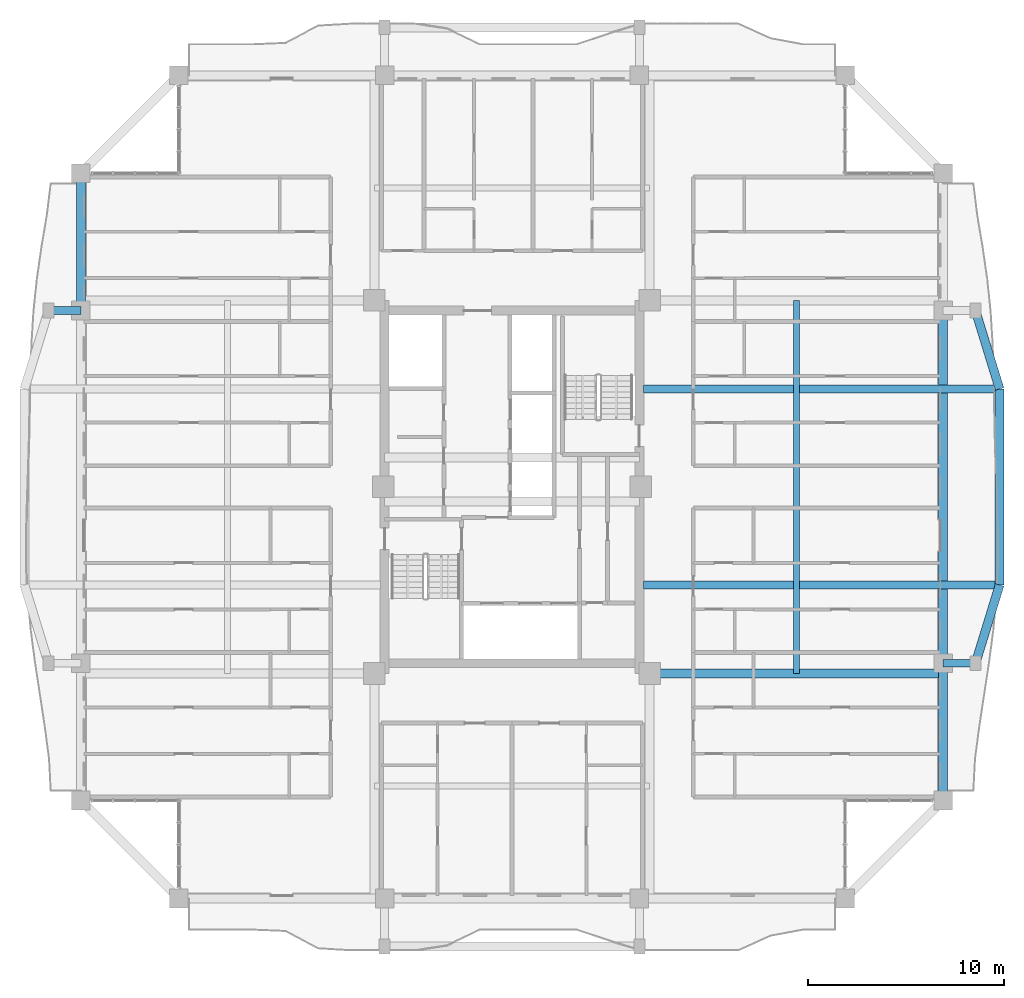
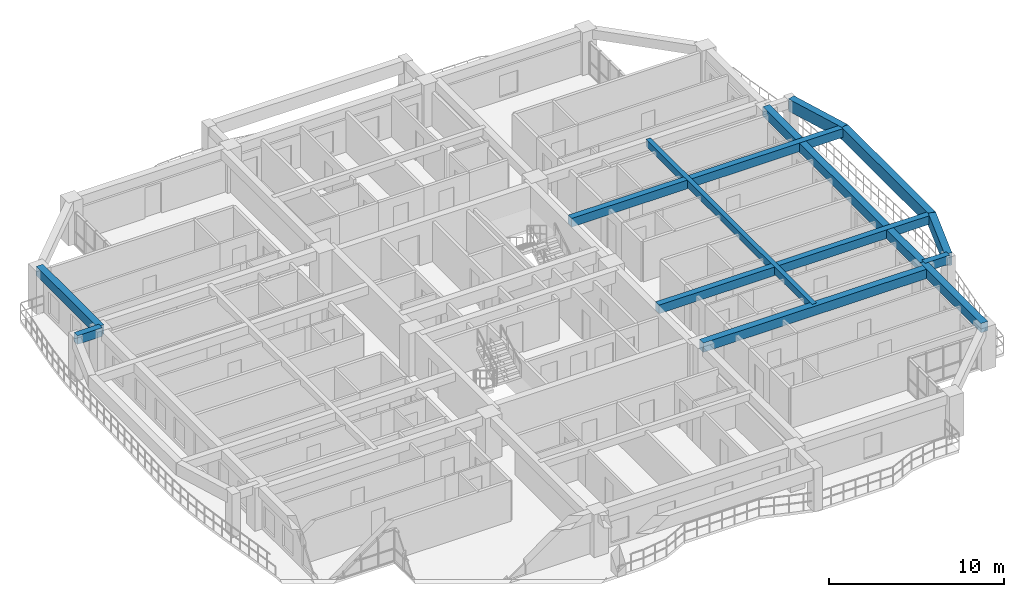
# One storey, part 5 of 23: 12 beams.
"""IFC4 building model written with IfcOpenShell, lengths in metres."""

from ifc_helpers import new_model, si_unit, direction, frame, origin, origin_2d, place, context, subcontext, project, spatial, rectangle, extrude, source, transform, mapped, material, material_profile, profile_set, type_object, element, save


model = new_model("IFC4")

# Units and contexts
model_context = context("Model", 3, precision=1e-05, world=origin(), true_north=direction((0.0, 1.0)))
body_context = subcontext(model_context, "Body", "Model", "MODEL_VIEW")
ifc_project = project(units=[si_unit("LENGTHUNIT", "METRE"), si_unit("AREAUNIT", "SQUARE_METRE"), si_unit("VOLUMEUNIT", "CUBIC_METRE"), si_unit("PLANEANGLEUNIT", "RADIAN"), si_unit("MASSUNIT", "GRAM", prefix="KILO")], contexts=[model_context])

# Site, building, storey
site_placement = place(None, origin())
site = spatial("IfcSite", under=ifc_project, at=site_placement, CompositionType="ELEMENT")
building_placement = place(site_placement, origin())
building = spatial("IfcBuilding", under=site, at=building_placement, Name="Saelheon Loggia Tower", CompositionType="ELEMENT")
storey_placement = place(building_placement, frame((0.0, 0.0, 156.10009765625)))
storey = spatial("IfcBuildingStorey", under=building, at=storey_placement, Name="L49", CompositionType="ELEMENT", Elevation=156.10009765625)

# Beams
ifc_material_1 = material(Name="Concrete C40/50", Category="concrete")
ifc_material_profile_1 = material_profile(ifc_material_1, rectangle(XDim=0.449951171875, YDim=0.64990234375, at=origin_2d()), Name="RC-450x650")
ifc_profile_set_1 = profile_set([ifc_material_profile_1], Name="Concrete C40/50")
beam_type_1 = type_object("IfcBeamType", Name="Beam_PerimTower_RC450x650", PredefinedType="BEAM", material=ifc_profile_set_1)
shared_shape_1 = source(origin(), body_context, "Body", "SweptSolid", [
    extrude(rectangle(XDim=0.449951171875, YDim=0.64990234375, at=origin_2d()), origin(), (0.0, 0.0, 1.0), 18.0),
])
beam_1_placement = place(storey_placement, frame((60.0, 18.0, 2.6748046875), z_axis=(0.0, 1.0, 0.0), x_axis=(-1.0, 0.0, 0.0)))
element("IfcBeam", 1, at=beam_1_placement, inside=storey, type_object=beam_type_1, Name="L49 Perimeter Frame Girder 06", PredefinedType="BEAM", context=body_context, shape_type="MappedRepresentation", body=[
    mapped(shared_shape_1, transform((0.0, 0.0, 0.0), scale=1.0)),
])
ifc_material_profile_2 = material_profile(ifc_material_1, rectangle(XDim=0.300048828125, YDim=0.5, at=origin_2d()), Name="RC-300x500")
ifc_profile_set_2 = profile_set([ifc_material_profile_2], Name="Concrete C40/50")
beam_type_2 = type_object("IfcBeamType", Name="Beam_Joist_RC300x500", PredefinedType="JOIST", material=ifc_profile_set_2)
shared_shape_2 = source(origin(), body_context, "Body", "SweptSolid", [
    extrude(rectangle(XDim=0.300048828125, YDim=0.5, at=origin_2d()), origin(), (0.0, 0.0, 1.0), 19.0400390625),
])
beam_2_placement = place(storey_placement, frame((52.510009765625, 17.47998046875, 2.75), z_axis=(0.0, 1.0, 0.0), x_axis=(-1.0, 0.0, 0.0)))
element("IfcBeam", 2, at=beam_2_placement, inside=storey, type_object=beam_type_2, Name="L49 East Floor Joist", PredefinedType="JOIST", context=body_context, shape_type="MappedRepresentation", body=[
    mapped(shared_shape_2, transform((0.0, 0.0, 0.0), scale=1.0)),
])
shared_shape_3 = source(origin(), body_context, "Body", "SweptSolid", [
    extrude(rectangle(XDim=0.449951171875, YDim=0.64990234375, at=origin_2d()), origin(), (0.0, 0.0, 1.0), 7.0),
])
for number, where, z_axis, x_axis, name in (
    (3, (60.0, 11.0, 2.6748046875), (0.0, 1.0, 0.0), (-1.0, 0.0, 0.0), "L49 Perimeter Frame Girder 05"),
    (4, (16.0, 43.0, 2.6748046875), (0.0, -1.0, 0.0), (1.0, 0.0, 0.0), "L49 Perimeter Frame Girder 13"),
):
    element("IfcBeam", number, at=place(storey_placement, frame(where, z_axis=z_axis, x_axis=x_axis)), inside=storey, type_object=beam_type_1, Name=name, PredefinedType="BEAM", context=body_context, shape_type="MappedRepresentation", body=[
        mapped(shared_shape_3, transform((0.0, 0.0, 0.0), scale=1.0)),
    ])
ifc_material_profile_3 = material_profile(ifc_material_1, rectangle(XDim=0.449951171875, YDim=0.64990234375, at=origin_2d()), Name="RC-450x650")
ifc_profile_set_3 = profile_set([ifc_material_profile_3], Name="Concrete C40/50")
beam_type_3 = type_object("IfcBeamType", Name="Beam_TowerGirder_RC450x650", PredefinedType="BEAM", material=ifc_profile_set_3)
shared_shape_4 = source(origin(), body_context, "Body", "SweptSolid", [
    extrude(rectangle(XDim=0.449951171875, YDim=0.64990234375, at=origin_2d()), origin(), (0.0, 0.0, 1.0), 14.97998046875),
])
beam_3_placement = place(storey_placement, frame((45.02001953125, 17.47998046875, 2.6748046875), z_axis=(1.0, 0.0, 0.0), x_axis=(0.0, 1.0, 0.0)))
element("IfcBeam", 5, at=beam_3_placement, inside=storey, type_object=beam_type_3, Name="L49 Radial Floor Girder RAD-SE-E", PredefinedType="BEAM", context=body_context, shape_type="MappedRepresentation", body=[
    mapped(shared_shape_4, transform((0.0, 0.0, 0.0), scale=1.0)),
])
ifc_material_2 = material(Name="Precast Concrete C45/55", Category="concrete")
ifc_material_profile_4 = material_profile(ifc_material_2, rectangle(XDim=0.39990234375, YDim=0.60009765625, at=origin_2d()), Name="RC-400x600")
ifc_profile_set_4 = profile_set([ifc_material_profile_4], Name="Precast Concrete C45/55")
beam_type_4 = type_object("IfcBeamType", Name="Beam_LoggiaTie_RC400x600", PredefinedType="BEAM", material=ifc_profile_set_4)
shared_shape_5 = source(origin(), body_context, "Body", "SweptSolid", [
    extrude(rectangle(XDim=0.39990234375, YDim=0.60009765625, at=origin_2d()), origin(), (0.0, 0.0, 1.0), 1.64990234375),
])
for number, where, z_axis, x_axis, name in (
    (6, (60.0, 18.0, 2.699951171875), (1.0, 0.0, 0.0), (0.0, 1.0, 0.0), "L49 Loggia Frame Tie Beam LP-E1"),
    (7, (16.0, 36.0, 2.699951171875), (-1.0, 0.0, 0.0), (0.0, -1.0, 0.0), "L49 Loggia Frame Tie Beam LP-W2"),
):
    element("IfcBeam", number, at=place(storey_placement, frame(where, z_axis=z_axis, x_axis=x_axis)), inside=storey, type_object=beam_type_4, Name=name, PredefinedType="BEAM", context=body_context, shape_type="MappedRepresentation", body=[
        mapped(shared_shape_5, transform((0.0, 0.0, 0.0), scale=1.0)),
    ])
shared_shape_6 = source(origin(), body_context, "Body", "SweptSolid", [
    extrude(rectangle(XDim=0.39990234375, YDim=0.60009765625, at=origin_2d()), origin(), (0.0, 0.0, 1.0), 18.159912109375),
])
for number, where, z_axis, x_axis, name in (
    (8, (44.719970703125, 22.0, 2.699951171875), (1.0, 0.0, 0.0), (0.0, 1.0, 0.0), "L49 Curved Facade Outrigger Beam E 1"),
    (9, (44.719970703125, 32.0, 2.699951171875), (1.0, 0.0, 0.0), (0.0, 1.0, 0.0), "L49 Curved Facade Outrigger Beam E 2"),
):
    element("IfcBeam", number, at=place(storey_placement, frame(where, z_axis=z_axis, x_axis=x_axis)), inside=storey, type_object=beam_type_4, Name=name, PredefinedType="BEAM", context=body_context, shape_type="MappedRepresentation", body=[
        mapped(shared_shape_6, transform((0.0, 0.0, 0.0), scale=1.0)),
    ])
ifc_material_profile_5 = material_profile(ifc_material_2, rectangle(XDim=0.449951171875, YDim=0.85009765625, at=origin_2d()), Name="RC-450x850")
ifc_profile_set_5 = profile_set([ifc_material_profile_5], Name="Precast Concrete C45/55")
beam_type_5 = type_object("IfcBeamType", Name="Beam_LoggiaSpandrel_RC450x850", PredefinedType="SPANDREL", material=ifc_profile_set_5)
shared_shape_7 = source(origin(), body_context, "Body", "SweptSolid", [
    extrude(rectangle(XDim=0.449951171875, YDim=0.85009765625, at=origin_2d()), origin(), (0.0, 0.0, 1.0), 4.184814453125),
])
for number, where, z_axis, x_axis, name in (
    (10, (61.64990234375, 18.0, 2.574951171875), (0.293913664135, 0.955831971653, 0.0), (-0.955831971653, 0.293913664135, 0.0), "L49 Curved Loggia Spandrel E 1"),
    (11, (62.8798828125, 32.0, 2.574951171875), (-0.293913664135, 0.955831971653, 0.0), (-0.955831971653, -0.293913664135, 0.0), "L49 Curved Loggia Spandrel E 3"),
):
    element("IfcBeam", number, at=place(storey_placement, frame(where, z_axis=z_axis, x_axis=x_axis)), inside=storey, type_object=beam_type_5, Name=name, PredefinedType="SPANDREL", context=body_context, shape_type="MappedRepresentation", body=[
        mapped(shared_shape_7, transform((0.0, 0.0, 0.0), scale=1.0)),
    ])
shared_shape_8 = source(origin(), body_context, "Body", "SweptSolid", [
    extrude(rectangle(XDim=0.449951171875, YDim=0.85009765625, at=origin_2d()), origin(), (0.0, 0.0, 1.0), 10.0),
])
beam_4_placement = place(storey_placement, frame((62.8798828125, 22.0, 2.574951171875), z_axis=(0.0, 1.0, 0.0), x_axis=(-1.0, 0.0, 0.0)))
element("IfcBeam", 12, at=beam_4_placement, inside=storey, type_object=beam_type_5, Name="L49 Curved Loggia Spandrel E 2", PredefinedType="SPANDREL", context=body_context, shape_type="MappedRepresentation", body=[
    mapped(shared_shape_8, transform((0.0, 0.0, 0.0), scale=1.0)),
])

save(model, "model.ifc")
